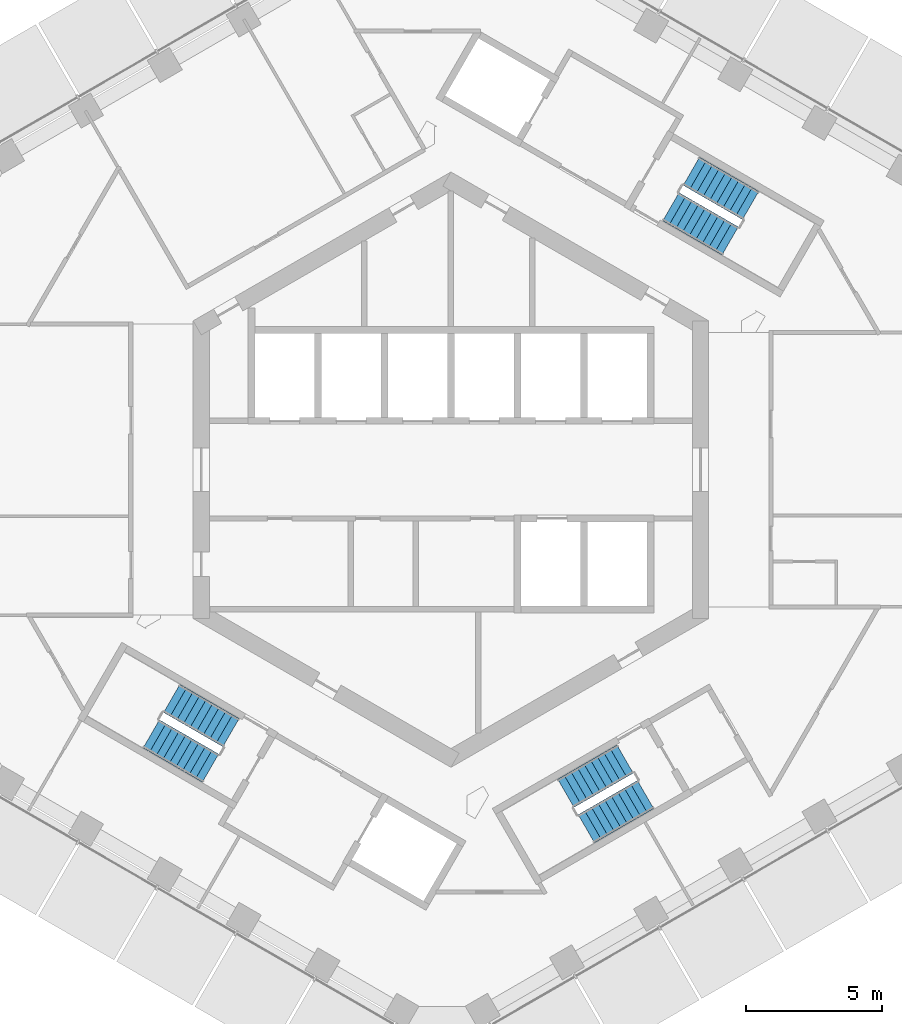
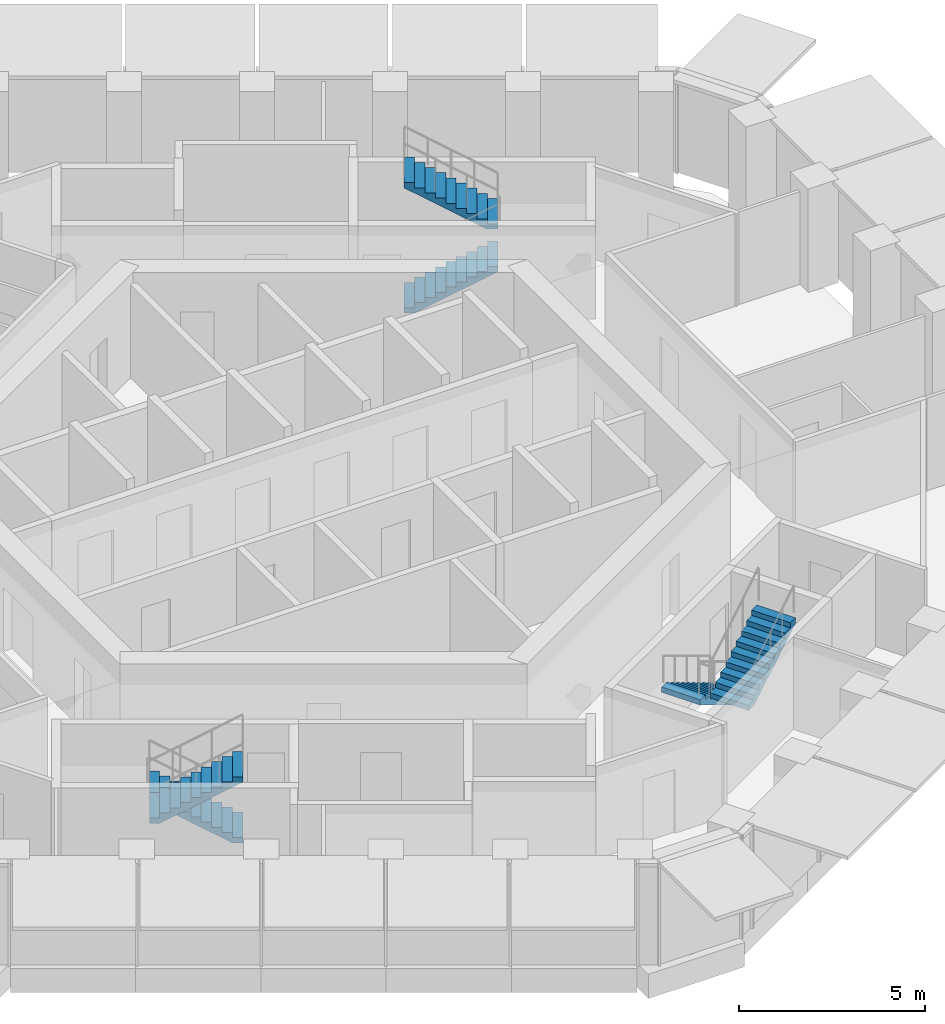
# One storey, part 17 of 18: 6 stair flights, 3 elements without a shape of their own.
"""IFC4 building model written with IfcOpenShell, lengths in metres."""

from ifc_helpers import new_model, si_unit, direction, frame, origin, place, context, subcontext, project, spatial, triangles, material, type_object, element, aggregate, save


model = new_model("IFC4")

# Units and contexts
model_context = context("Model", 3, precision=1e-05, world=origin(), true_north=direction((0.0, 1.0)))
body_context = subcontext(model_context, "Body", "Model", "MODEL_VIEW")
ifc_project = project(units=[si_unit("LENGTHUNIT", "METRE"), si_unit("AREAUNIT", "SQUARE_METRE"), si_unit("VOLUMEUNIT", "CUBIC_METRE"), si_unit("PLANEANGLEUNIT", "RADIAN"), si_unit("MASSUNIT", "GRAM", prefix="KILO")], contexts=[model_context])

# Site, building, storey
site_placement = place(None, origin())
site = spatial("IfcSite", under=ifc_project, at=site_placement, CompositionType="ELEMENT")
building_placement = place(site_placement, origin())
building = spatial("IfcBuilding", under=site, at=building_placement, Name="Ayvan Gate Tower", CompositionType="ELEMENT")
storey_placement = place(building_placement, frame((0.0, 0.0, 169.699951171875)))
storey = spatial("IfcBuildingStorey", under=building, at=storey_placement, Name="L45", CompositionType="ELEMENT", Elevation=169.699951171875)

# Stair, stair flights
ifc_material = material(Name="Concrete C40/50", Category="concrete")
stair_type = type_object("IfcStairType", Name="ST-EXIT", PredefinedType="HALF_TURN_STAIR", material=ifc_material)
stair_1_placement = place(storey_placement, origin())
stair_1 = element("IfcStair", 1, at=stair_1_placement, inside=storey, type_object=stair_type, Name="L45 Exit Stair S1", PredefinedType="HALF_TURN_STAIR")
stair_flight_type = type_object("IfcStairFlightType", Name="SFL-EXIT", PredefinedType="STRAIGHT", material=ifc_material)
stair_flight_1_placement = place(storey_placement, frame((8.106201171875, 9.690185546875, 0.0), z_axis=(0.0, 0.0, 1.0), x_axis=(0.866025403784, -0.5, 0.0)))
stair_flight_1 = element("IfcStairFlight", 2, at=stair_flight_1_placement, type_object=stair_flight_type, Name="STS1 flight 1", NumberOfRisers=10, NumberOfTreads=9, PredefinedType="STRAIGHT", RiserHeight=0.17, TreadLength=0.28, context=body_context, shape_type="Tessellation", body=[
    triangles([(0.288841, -0.599976, 0.0), (2.5205, -0.599976, 1.354936), (2.5205, -0.599976, 1.53), (2.24, -0.599976, 1.53), (2.24, -0.599976, 1.36), (1.96, -0.599976, 1.36), (1.96, -0.599976, 1.19), (1.68, -0.599976, 1.19), (1.68, -0.599976, 1.02), (1.4, -0.599976, 1.02), (1.4, -0.599976, 0.85), (1.12, -0.599976, 0.85), (1.12, -0.599976, 0.68), (0.84, -0.599976, 0.68), (0.84, -0.599976, 0.51), (0.56, -0.599976, 0.51), (0.56, -0.599976, 0.34), (0.28, -0.599976, 0.34), (0.28, -0.599976, 0.17), (-0.0005, -0.599976, 0.17), (-0.0005, -0.599976, 0.0), (0.288841, 0.0, 0.0), (2.5205, 0.0, 1.354936), (2.5205, 0.0, 1.53), (2.24, 0.0, 1.53), (2.24, 0.0, 1.36), (1.96, 0.0, 1.36), (1.96, 0.0, 1.19), (1.68, 0.0, 1.19), (1.68, 0.0, 1.02), (1.4, 0.0, 1.02), (1.4, 0.0, 0.85), (1.12, 0.0, 0.85), (1.12, 0.0, 0.68), (0.84, 0.0, 0.68), (0.84, 0.0, 0.51), (0.56, 0.0, 0.51), (0.56, 0.0, 0.34), (0.28, 0.0, 0.34), (0.28, 0.0, 0.17), (-0.0005, 0.0, 0.17), (-0.0005, 0.0, 0.0), (0.288841, 0.599976, 0.0), (2.5205, 0.599976, 1.354936), (2.5205, 0.599976, 1.53), (2.24, 0.599976, 1.53), (2.24, 0.599976, 1.36), (1.96, 0.599976, 1.36), (1.96, 0.599976, 1.19), (1.68, 0.599976, 1.19), (1.68, 0.599976, 1.02), (1.4, 0.599976, 1.02), (1.4, 0.599976, 0.85), (1.12, 0.599976, 0.85), (1.12, 0.599976, 0.68), (0.84, 0.599976, 0.68), (0.84, 0.599976, 0.51), (0.56, 0.599976, 0.51), (0.56, 0.599976, 0.34), (0.28, 0.599976, 0.34), (0.28, 0.599976, 0.17), (-0.0005, 0.599976, 0.17), (-0.0005, 0.599976, 0.0)], [[21, 1, 2], [63, 44, 43], [2, 3, 4], [44, 46, 45], [2, 4, 5], [44, 47, 46], [2, 5, 6], [44, 48, 47], [2, 6, 7], [44, 49, 48], [7, 8, 9], [49, 51, 50], [2, 7, 9], [44, 51, 49], [9, 10, 11], [51, 53, 52], [2, 9, 11], [44, 53, 51], [11, 12, 13], [53, 55, 54], [2, 11, 13], [44, 55, 53], [13, 14, 15], [55, 57, 56], [2, 13, 15], [44, 57, 55], [15, 16, 17], [57, 59, 58], [2, 15, 17], [44, 59, 57], [17, 18, 19], [59, 61, 60], [2, 17, 19], [44, 61, 59], [21, 2, 19], [63, 61, 44], [19, 20, 21], [61, 63, 62], [1, 22, 23], [1, 23, 2], [43, 23, 22], [43, 44, 23], [2, 23, 24], [2, 24, 3], [44, 24, 23], [44, 45, 24], [3, 24, 25], [3, 25, 4], [45, 25, 24], [45, 46, 25], [4, 25, 26], [4, 26, 5], [46, 26, 25], [46, 47, 26], [5, 26, 27], [5, 27, 6], [47, 27, 26], [47, 48, 27], [6, 27, 28], [6, 28, 7], [48, 28, 27], [48, 49, 28], [7, 28, 29], [7, 29, 8], [49, 29, 28], [49, 50, 29], [8, 29, 30], [8, 30, 9], [50, 30, 29], [50, 51, 30], [9, 30, 31], [9, 31, 10], [51, 31, 30], [51, 52, 31], [10, 31, 32], [10, 32, 11], [52, 32, 31], [52, 53, 32], [11, 32, 33], [11, 33, 12], [53, 33, 32], [53, 54, 33], [12, 33, 34], [12, 34, 13], [54, 34, 33], [54, 55, 34], [13, 34, 35], [13, 35, 14], [55, 35, 34], [55, 56, 35], [14, 35, 36], [14, 36, 15], [56, 36, 35], [56, 57, 36], [15, 36, 37], [15, 37, 16], [57, 37, 36], [57, 58, 37], [16, 37, 38], [16, 38, 17], [58, 38, 37], [58, 59, 38], [17, 38, 39], [17, 39, 18], [59, 39, 38], [59, 60, 39], [18, 39, 40], [18, 40, 19], [60, 40, 39], [60, 61, 40], [19, 40, 41], [19, 41, 20], [61, 41, 40], [61, 62, 41], [20, 41, 42], [20, 42, 21], [62, 42, 41], [62, 63, 42], [21, 42, 22], [21, 22, 1], [63, 22, 42], [63, 43, 22]], closed=True),
])
stair_flight_2_placement = place(storey_placement, frame((11.04345703125, 9.73779296875, 1.699951171875), z_axis=(0.0, 0.0, 1.0), x_axis=(-0.866025403784, 0.5, 0.0)))
stair_flight_2 = element("IfcStairFlight", 3, at=stair_flight_2_placement, type_object=stair_flight_type, Name="STS1 flight 2", NumberOfRisers=10, NumberOfTreads=9, PredefinedType="STRAIGHT", RiserHeight=0.17, TreadLength=0.28, context=body_context, shape_type="Tessellation", body=[
    triangles([(0.288841, -0.599976, 0.0), (2.5205, -0.599976, 1.354936), (2.5205, -0.599976, 1.53), (2.24, -0.599976, 1.53), (2.24, -0.599976, 1.36), (1.96, -0.599976, 1.36), (1.96, -0.599976, 1.19), (1.68, -0.599976, 1.19), (1.68, -0.599976, 1.02), (1.4, -0.599976, 1.02), (1.4, -0.599976, 0.85), (1.12, -0.599976, 0.85), (1.12, -0.599976, 0.68), (0.84, -0.599976, 0.68), (0.84, -0.599976, 0.51), (0.56, -0.599976, 0.51), (0.56, -0.599976, 0.34), (0.28, -0.599976, 0.34), (0.28, -0.599976, 0.17), (-0.0005, -0.599976, 0.17), (-0.0005, -0.599976, 0.0), (0.288841, 0.0, 0.0), (2.5205, 0.0, 1.354936), (2.5205, 0.0, 1.53), (2.24, 0.0, 1.53), (2.24, 0.0, 1.36), (1.96, 0.0, 1.36), (1.96, 0.0, 1.19), (1.68, 0.0, 1.19), (1.68, 0.0, 1.02), (1.4, 0.0, 1.02), (1.4, 0.0, 0.85), (1.12, 0.0, 0.85), (1.12, 0.0, 0.68), (0.84, 0.0, 0.68), (0.84, 0.0, 0.51), (0.56, 0.0, 0.51), (0.56, 0.0, 0.34), (0.28, 0.0, 0.34), (0.28, 0.0, 0.17), (-0.0005, 0.0, 0.17), (-0.0005, 0.0, 0.0), (0.288841, 0.599976, 0.0), (2.5205, 0.599976, 1.354936), (2.5205, 0.599976, 1.53), (2.24, 0.599976, 1.53), (2.24, 0.599976, 1.36), (1.96, 0.599976, 1.36), (1.96, 0.599976, 1.19), (1.68, 0.599976, 1.19), (1.68, 0.599976, 1.02), (1.4, 0.599976, 1.02), (1.4, 0.599976, 0.85), (1.12, 0.599976, 0.85), (1.12, 0.599976, 0.68), (0.84, 0.599976, 0.68), (0.84, 0.599976, 0.51), (0.56, 0.599976, 0.51), (0.56, 0.599976, 0.34), (0.28, 0.599976, 0.34), (0.28, 0.599976, 0.17), (-0.0005, 0.599976, 0.17), (-0.0005, 0.599976, 0.0)], [[21, 1, 2], [63, 44, 43], [2, 3, 4], [44, 46, 45], [2, 4, 5], [44, 47, 46], [2, 5, 6], [44, 48, 47], [2, 6, 7], [44, 49, 48], [7, 8, 9], [49, 51, 50], [2, 7, 9], [44, 51, 49], [9, 10, 11], [51, 53, 52], [2, 9, 11], [44, 53, 51], [11, 12, 13], [53, 55, 54], [2, 11, 13], [44, 55, 53], [13, 14, 15], [55, 57, 56], [2, 13, 15], [44, 57, 55], [15, 16, 17], [57, 59, 58], [2, 15, 17], [44, 59, 57], [17, 18, 19], [59, 61, 60], [2, 17, 19], [44, 61, 59], [21, 2, 19], [63, 61, 44], [19, 20, 21], [61, 63, 62], [1, 22, 23], [1, 23, 2], [43, 23, 22], [43, 44, 23], [2, 23, 24], [2, 24, 3], [44, 24, 23], [44, 45, 24], [3, 24, 25], [3, 25, 4], [45, 25, 24], [45, 46, 25], [4, 25, 26], [4, 26, 5], [46, 26, 25], [46, 47, 26], [5, 26, 27], [5, 27, 6], [47, 27, 26], [47, 48, 27], [6, 27, 28], [6, 28, 7], [48, 28, 27], [48, 49, 28], [7, 28, 29], [7, 29, 8], [49, 29, 28], [49, 50, 29], [8, 29, 30], [8, 30, 9], [50, 30, 29], [50, 51, 30], [9, 30, 31], [9, 31, 10], [51, 31, 30], [51, 52, 31], [10, 31, 32], [10, 32, 11], [52, 32, 31], [52, 53, 32], [11, 32, 33], [11, 33, 12], [53, 33, 32], [53, 54, 33], [12, 33, 34], [12, 34, 13], [54, 34, 33], [54, 55, 34], [13, 34, 35], [13, 35, 14], [55, 35, 34], [55, 56, 35], [14, 35, 36], [14, 36, 15], [56, 36, 35], [56, 57, 36], [15, 36, 37], [15, 37, 16], [57, 37, 36], [57, 58, 37], [16, 37, 38], [16, 38, 17], [58, 38, 37], [58, 59, 38], [17, 38, 39], [17, 39, 18], [59, 39, 38], [59, 60, 39], [18, 39, 40], [18, 40, 19], [60, 40, 39], [60, 61, 40], [19, 40, 41], [19, 41, 20], [61, 41, 40], [61, 62, 41], [20, 41, 42], [20, 42, 21], [62, 42, 41], [62, 63, 42], [21, 42, 22], [21, 22, 1], [63, 22, 42], [63, 43, 22]], closed=True),
])
aggregate(stair_1, [stair_flight_1, stair_flight_2])

stair_2_placement = place(storey_placement, origin())
stair_2 = element("IfcStair", 4, at=stair_2_placement, inside=storey, type_object=stair_type, Name="L45 Exit Stair S2", PredefinedType="HALF_TURN_STAIR")
stair_flight_3_placement = place(storey_placement, frame((-8.106201171875, -9.690185546875, 0.0), z_axis=(0.0, 0.0, 1.0), x_axis=(-0.866025403784, 0.5, 0.0)))
stair_flight_3 = element("IfcStairFlight", 5, at=stair_flight_3_placement, type_object=stair_flight_type, Name="STS2 flight 1", NumberOfRisers=10, NumberOfTreads=9, PredefinedType="STRAIGHT", RiserHeight=0.17, TreadLength=0.28, context=body_context, shape_type="Tessellation", body=[
    triangles([(0.288841, -0.599976, 0.0), (2.5205, -0.599976, 1.354936), (2.5205, -0.599976, 1.53), (2.24, -0.599976, 1.53), (2.24, -0.599976, 1.36), (1.96, -0.599976, 1.36), (1.96, -0.599976, 1.19), (1.68, -0.599976, 1.19), (1.68, -0.599976, 1.02), (1.4, -0.599976, 1.02), (1.4, -0.599976, 0.85), (1.12, -0.599976, 0.85), (1.12, -0.599976, 0.68), (0.84, -0.599976, 0.68), (0.84, -0.599976, 0.51), (0.56, -0.599976, 0.51), (0.56, -0.599976, 0.34), (0.28, -0.599976, 0.34), (0.28, -0.599976, 0.17), (-0.0005, -0.599976, 0.17), (-0.0005, -0.599976, 0.0), (0.288841, 0.0, 0.0), (2.5205, 0.0, 1.354936), (2.5205, 0.0, 1.53), (2.24, 0.0, 1.53), (2.24, 0.0, 1.36), (1.96, 0.0, 1.36), (1.96, 0.0, 1.19), (1.68, 0.0, 1.19), (1.68, 0.0, 1.02), (1.4, 0.0, 1.02), (1.4, 0.0, 0.85), (1.12, 0.0, 0.85), (1.12, 0.0, 0.68), (0.84, 0.0, 0.68), (0.84, 0.0, 0.51), (0.56, 0.0, 0.51), (0.56, 0.0, 0.34), (0.28, 0.0, 0.34), (0.28, 0.0, 0.17), (-0.0005, 0.0, 0.17), (-0.0005, 0.0, 0.0), (0.288841, 0.599976, 0.0), (2.5205, 0.599976, 1.354936), (2.5205, 0.599976, 1.53), (2.24, 0.599976, 1.53), (2.24, 0.599976, 1.36), (1.96, 0.599976, 1.36), (1.96, 0.599976, 1.19), (1.68, 0.599976, 1.19), (1.68, 0.599976, 1.02), (1.4, 0.599976, 1.02), (1.4, 0.599976, 0.85), (1.12, 0.599976, 0.85), (1.12, 0.599976, 0.68), (0.84, 0.599976, 0.68), (0.84, 0.599976, 0.51), (0.56, 0.599976, 0.51), (0.56, 0.599976, 0.34), (0.28, 0.599976, 0.34), (0.28, 0.599976, 0.17), (-0.0005, 0.599976, 0.17), (-0.0005, 0.599976, 0.0)], [[21, 1, 2], [63, 44, 43], [2, 3, 4], [44, 46, 45], [2, 4, 5], [44, 47, 46], [2, 5, 6], [44, 48, 47], [2, 6, 7], [44, 49, 48], [7, 8, 9], [49, 51, 50], [2, 7, 9], [44, 51, 49], [9, 10, 11], [51, 53, 52], [2, 9, 11], [44, 53, 51], [11, 12, 13], [53, 55, 54], [2, 11, 13], [44, 55, 53], [13, 14, 15], [55, 57, 56], [2, 13, 15], [44, 57, 55], [15, 16, 17], [57, 59, 58], [2, 15, 17], [44, 59, 57], [17, 18, 19], [59, 61, 60], [2, 17, 19], [44, 61, 59], [21, 2, 19], [63, 61, 44], [19, 20, 21], [61, 63, 62], [1, 22, 23], [1, 23, 2], [43, 23, 22], [43, 44, 23], [2, 23, 24], [2, 24, 3], [44, 24, 23], [44, 45, 24], [3, 24, 25], [3, 25, 4], [45, 25, 24], [45, 46, 25], [4, 25, 26], [4, 26, 5], [46, 26, 25], [46, 47, 26], [5, 26, 27], [5, 27, 6], [47, 27, 26], [47, 48, 27], [6, 27, 28], [6, 28, 7], [48, 28, 27], [48, 49, 28], [7, 28, 29], [7, 29, 8], [49, 29, 28], [49, 50, 29], [8, 29, 30], [8, 30, 9], [50, 30, 29], [50, 51, 30], [9, 30, 31], [9, 31, 10], [51, 31, 30], [51, 52, 31], [10, 31, 32], [10, 32, 11], [52, 32, 31], [52, 53, 32], [11, 32, 33], [11, 33, 12], [53, 33, 32], [53, 54, 33], [12, 33, 34], [12, 34, 13], [54, 34, 33], [54, 55, 34], [13, 34, 35], [13, 35, 14], [55, 35, 34], [55, 56, 35], [14, 35, 36], [14, 36, 15], [56, 36, 35], [56, 57, 36], [15, 36, 37], [15, 37, 16], [57, 37, 36], [57, 58, 37], [16, 37, 38], [16, 38, 17], [58, 38, 37], [58, 59, 38], [17, 38, 39], [17, 39, 18], [59, 39, 38], [59, 60, 39], [18, 39, 40], [18, 40, 19], [60, 40, 39], [60, 61, 40], [19, 40, 41], [19, 41, 20], [61, 41, 40], [61, 62, 41], [20, 41, 42], [20, 42, 21], [62, 42, 41], [62, 63, 42], [21, 42, 22], [21, 22, 1], [63, 22, 42], [63, 43, 22]], closed=True),
])
stair_flight_4_placement = place(storey_placement, frame((-11.04345703125, -9.73779296875, 1.699951171875), z_axis=(0.0, 0.0, 1.0), x_axis=(0.866025403784, -0.5, 0.0)))
stair_flight_4 = element("IfcStairFlight", 6, at=stair_flight_4_placement, type_object=stair_flight_type, Name="STS2 flight 2", NumberOfRisers=10, NumberOfTreads=9, PredefinedType="STRAIGHT", RiserHeight=0.17, TreadLength=0.28, context=body_context, shape_type="Tessellation", body=[
    triangles([(0.288841, -0.599976, 0.0), (2.5205, -0.599976, 1.354936), (2.5205, -0.599976, 1.53), (2.24, -0.599976, 1.53), (2.24, -0.599976, 1.36), (1.96, -0.599976, 1.36), (1.96, -0.599976, 1.19), (1.68, -0.599976, 1.19), (1.68, -0.599976, 1.02), (1.4, -0.599976, 1.02), (1.4, -0.599976, 0.85), (1.12, -0.599976, 0.85), (1.12, -0.599976, 0.68), (0.84, -0.599976, 0.68), (0.84, -0.599976, 0.51), (0.56, -0.599976, 0.51), (0.56, -0.599976, 0.34), (0.28, -0.599976, 0.34), (0.28, -0.599976, 0.17), (-0.0005, -0.599976, 0.17), (-0.0005, -0.599976, 0.0), (0.288841, 0.0, 0.0), (2.5205, 0.0, 1.354936), (2.5205, 0.0, 1.53), (2.24, 0.0, 1.53), (2.24, 0.0, 1.36), (1.96, 0.0, 1.36), (1.96, 0.0, 1.19), (1.68, 0.0, 1.19), (1.68, 0.0, 1.02), (1.4, 0.0, 1.02), (1.4, 0.0, 0.85), (1.12, 0.0, 0.85), (1.12, 0.0, 0.68), (0.84, 0.0, 0.68), (0.84, 0.0, 0.51), (0.56, 0.0, 0.51), (0.56, 0.0, 0.34), (0.28, 0.0, 0.34), (0.28, 0.0, 0.17), (-0.0005, 0.0, 0.17), (-0.0005, 0.0, 0.0), (0.288841, 0.599976, 0.0), (2.5205, 0.599976, 1.354936), (2.5205, 0.599976, 1.53), (2.24, 0.599976, 1.53), (2.24, 0.599976, 1.36), (1.96, 0.599976, 1.36), (1.96, 0.599976, 1.19), (1.68, 0.599976, 1.19), (1.68, 0.599976, 1.02), (1.4, 0.599976, 1.02), (1.4, 0.599976, 0.85), (1.12, 0.599976, 0.85), (1.12, 0.599976, 0.68), (0.84, 0.599976, 0.68), (0.84, 0.599976, 0.51), (0.56, 0.599976, 0.51), (0.56, 0.599976, 0.34), (0.28, 0.599976, 0.34), (0.28, 0.599976, 0.17), (-0.0005, 0.599976, 0.17), (-0.0005, 0.599976, 0.0)], [[21, 1, 2], [63, 44, 43], [2, 3, 4], [44, 46, 45], [2, 4, 5], [44, 47, 46], [2, 5, 6], [44, 48, 47], [2, 6, 7], [44, 49, 48], [7, 8, 9], [49, 51, 50], [2, 7, 9], [44, 51, 49], [9, 10, 11], [51, 53, 52], [2, 9, 11], [44, 53, 51], [11, 12, 13], [53, 55, 54], [2, 11, 13], [44, 55, 53], [13, 14, 15], [55, 57, 56], [2, 13, 15], [44, 57, 55], [15, 16, 17], [57, 59, 58], [2, 15, 17], [44, 59, 57], [17, 18, 19], [59, 61, 60], [2, 17, 19], [44, 61, 59], [21, 2, 19], [63, 61, 44], [19, 20, 21], [61, 63, 62], [1, 22, 23], [1, 23, 2], [43, 23, 22], [43, 44, 23], [2, 23, 24], [2, 24, 3], [44, 24, 23], [44, 45, 24], [3, 24, 25], [3, 25, 4], [45, 25, 24], [45, 46, 25], [4, 25, 26], [4, 26, 5], [46, 26, 25], [46, 47, 26], [5, 26, 27], [5, 27, 6], [47, 27, 26], [47, 48, 27], [6, 27, 28], [6, 28, 7], [48, 28, 27], [48, 49, 28], [7, 28, 29], [7, 29, 8], [49, 29, 28], [49, 50, 29], [8, 29, 30], [8, 30, 9], [50, 30, 29], [50, 51, 30], [9, 30, 31], [9, 31, 10], [51, 31, 30], [51, 52, 31], [10, 31, 32], [10, 32, 11], [52, 32, 31], [52, 53, 32], [11, 32, 33], [11, 33, 12], [53, 33, 32], [53, 54, 33], [12, 33, 34], [12, 34, 13], [54, 34, 33], [54, 55, 34], [13, 34, 35], [13, 35, 14], [55, 35, 34], [55, 56, 35], [14, 35, 36], [14, 36, 15], [56, 36, 35], [56, 57, 36], [15, 36, 37], [15, 37, 16], [57, 37, 36], [57, 58, 37], [16, 37, 38], [16, 38, 17], [58, 38, 37], [58, 59, 38], [17, 38, 39], [17, 39, 18], [59, 39, 38], [59, 60, 39], [18, 39, 40], [18, 40, 19], [60, 40, 39], [60, 61, 40], [19, 40, 41], [19, 41, 20], [61, 41, 40], [61, 62, 41], [20, 41, 42], [20, 42, 21], [62, 42, 41], [62, 63, 42], [21, 42, 22], [21, 22, 1], [63, 22, 42], [63, 43, 22]], closed=True),
])
aggregate(stair_2, [stair_flight_3, stair_flight_4])

stair_3_placement = place(storey_placement, origin())
stair_3 = element("IfcStair", 7, at=stair_3_placement, inside=storey, type_object=stair_type, Name="L45 Exit Stair S3", PredefinedType="HALF_TURN_STAIR")
stair_flight_5_placement = place(storey_placement, frame((6.417236328125, -10.665283203125, 0.0), z_axis=(0.0, 0.0, 1.0), x_axis=(-0.866025403784, -0.5, 0.0)))
stair_flight_5 = element("IfcStairFlight", 8, at=stair_flight_5_placement, type_object=stair_flight_type, Name="STS3 flight 1", NumberOfRisers=10, NumberOfTreads=9, PredefinedType="STRAIGHT", RiserHeight=0.17, TreadLength=0.28, context=body_context, shape_type="Tessellation", body=[
    triangles([(0.288841, -0.599976, 0.0), (2.5205, -0.599976, 1.354936), (2.5205, -0.599976, 1.53), (2.24, -0.599976, 1.53), (2.24, -0.599976, 1.36), (1.96, -0.599976, 1.36), (1.96, -0.599976, 1.19), (1.68, -0.599976, 1.19), (1.68, -0.599976, 1.02), (1.4, -0.599976, 1.02), (1.4, -0.599976, 0.85), (1.12, -0.599976, 0.85), (1.12, -0.599976, 0.68), (0.84, -0.599976, 0.68), (0.84, -0.599976, 0.51), (0.56, -0.599976, 0.51), (0.56, -0.599976, 0.34), (0.28, -0.599976, 0.34), (0.28, -0.599976, 0.17), (-0.0005, -0.599976, 0.17), (-0.0005, -0.599976, 0.0), (0.288841, 0.0, 0.0), (2.5205, 0.0, 1.354936), (2.5205, 0.0, 1.53), (2.24, 0.0, 1.53), (2.24, 0.0, 1.36), (1.96, 0.0, 1.36), (1.96, 0.0, 1.19), (1.68, 0.0, 1.19), (1.68, 0.0, 1.02), (1.4, 0.0, 1.02), (1.4, 0.0, 0.85), (1.12, 0.0, 0.85), (1.12, 0.0, 0.68), (0.84, 0.0, 0.68), (0.84, 0.0, 0.51), (0.56, 0.0, 0.51), (0.56, 0.0, 0.34), (0.28, 0.0, 0.34), (0.28, 0.0, 0.17), (-0.0005, 0.0, 0.17), (-0.0005, 0.0, 0.0), (0.288841, 0.599976, 0.0), (2.5205, 0.599976, 1.354936), (2.5205, 0.599976, 1.53), (2.24, 0.599976, 1.53), (2.24, 0.599976, 1.36), (1.96, 0.599976, 1.36), (1.96, 0.599976, 1.19), (1.68, 0.599976, 1.19), (1.68, 0.599976, 1.02), (1.4, 0.599976, 1.02), (1.4, 0.599976, 0.85), (1.12, 0.599976, 0.85), (1.12, 0.599976, 0.68), (0.84, 0.599976, 0.68), (0.84, 0.599976, 0.51), (0.56, 0.599976, 0.51), (0.56, 0.599976, 0.34), (0.28, 0.599976, 0.34), (0.28, 0.599976, 0.17), (-0.0005, 0.599976, 0.17), (-0.0005, 0.599976, 0.0)], [[21, 1, 2], [63, 44, 43], [2, 3, 4], [44, 46, 45], [2, 4, 5], [44, 47, 46], [2, 5, 6], [44, 48, 47], [2, 6, 7], [44, 49, 48], [7, 8, 9], [49, 51, 50], [2, 7, 9], [44, 51, 49], [9, 10, 11], [51, 53, 52], [2, 9, 11], [44, 53, 51], [11, 12, 13], [53, 55, 54], [2, 11, 13], [44, 55, 53], [13, 14, 15], [55, 57, 56], [2, 13, 15], [44, 57, 55], [15, 16, 17], [57, 59, 58], [2, 15, 17], [44, 59, 57], [17, 18, 19], [59, 61, 60], [2, 17, 19], [44, 61, 59], [21, 2, 19], [63, 61, 44], [19, 20, 21], [61, 63, 62], [1, 22, 23], [1, 23, 2], [43, 23, 22], [43, 44, 23], [2, 23, 24], [2, 24, 3], [44, 24, 23], [44, 45, 24], [3, 24, 25], [3, 25, 4], [45, 25, 24], [45, 46, 25], [4, 25, 26], [4, 26, 5], [46, 26, 25], [46, 47, 26], [5, 26, 27], [5, 27, 6], [47, 27, 26], [47, 48, 27], [6, 27, 28], [6, 28, 7], [48, 28, 27], [48, 49, 28], [7, 28, 29], [7, 29, 8], [49, 29, 28], [49, 50, 29], [8, 29, 30], [8, 30, 9], [50, 30, 29], [50, 51, 30], [9, 30, 31], [9, 31, 10], [51, 31, 30], [51, 52, 31], [10, 31, 32], [10, 32, 11], [52, 32, 31], [52, 53, 32], [11, 32, 33], [11, 33, 12], [53, 33, 32], [53, 54, 33], [12, 33, 34], [12, 34, 13], [54, 34, 33], [54, 55, 34], [13, 34, 35], [13, 35, 14], [55, 35, 34], [55, 56, 35], [14, 35, 36], [14, 36, 15], [56, 36, 35], [56, 57, 36], [15, 36, 37], [15, 37, 16], [57, 37, 36], [57, 58, 37], [16, 37, 38], [16, 38, 17], [58, 38, 37], [58, 59, 38], [17, 38, 39], [17, 39, 18], [59, 39, 38], [59, 60, 39], [18, 39, 40], [18, 40, 19], [60, 40, 39], [60, 61, 40], [19, 40, 41], [19, 41, 20], [61, 41, 40], [61, 62, 41], [20, 41, 42], [20, 42, 21], [62, 42, 41], [62, 63, 42], [21, 42, 22], [21, 22, 1], [63, 22, 42], [63, 43, 22]], closed=True),
])
stair_flight_6_placement = place(storey_placement, frame((4.989990234375, -13.23291015625, 1.699951171875), z_axis=(0.0, 0.0, 1.0), x_axis=(0.866025403784, 0.5, 0.0)))
stair_flight_6 = element("IfcStairFlight", 9, at=stair_flight_6_placement, type_object=stair_flight_type, Name="STS3 flight 2", NumberOfRisers=10, NumberOfTreads=9, PredefinedType="STRAIGHT", RiserHeight=0.17, TreadLength=0.28, context=body_context, shape_type="Tessellation", body=[
    triangles([(0.288841, -0.599976, 0.0), (2.5205, -0.599976, 1.354936), (2.5205, -0.599976, 1.53), (2.24, -0.599976, 1.53), (2.24, -0.599976, 1.36), (1.96, -0.599976, 1.36), (1.96, -0.599976, 1.19), (1.68, -0.599976, 1.19), (1.68, -0.599976, 1.02), (1.4, -0.599976, 1.02), (1.4, -0.599976, 0.85), (1.12, -0.599976, 0.85), (1.12, -0.599976, 0.68), (0.84, -0.599976, 0.68), (0.84, -0.599976, 0.51), (0.56, -0.599976, 0.51), (0.56, -0.599976, 0.34), (0.28, -0.599976, 0.34), (0.28, -0.599976, 0.17), (-0.0005, -0.599976, 0.17), (-0.0005, -0.599976, 0.0), (0.288841, 0.0, 0.0), (2.5205, 0.0, 1.354936), (2.5205, 0.0, 1.53), (2.24, 0.0, 1.53), (2.24, 0.0, 1.36), (1.96, 0.0, 1.36), (1.96, 0.0, 1.19), (1.68, 0.0, 1.19), (1.68, 0.0, 1.02), (1.4, 0.0, 1.02), (1.4, 0.0, 0.85), (1.12, 0.0, 0.85), (1.12, 0.0, 0.68), (0.84, 0.0, 0.68), (0.84, 0.0, 0.51), (0.56, 0.0, 0.51), (0.56, 0.0, 0.34), (0.28, 0.0, 0.34), (0.28, 0.0, 0.17), (-0.0005, 0.0, 0.17), (-0.0005, 0.0, 0.0), (0.288841, 0.599976, 0.0), (2.5205, 0.599976, 1.354936), (2.5205, 0.599976, 1.53), (2.24, 0.599976, 1.53), (2.24, 0.599976, 1.36), (1.96, 0.599976, 1.36), (1.96, 0.599976, 1.19), (1.68, 0.599976, 1.19), (1.68, 0.599976, 1.02), (1.4, 0.599976, 1.02), (1.4, 0.599976, 0.85), (1.12, 0.599976, 0.85), (1.12, 0.599976, 0.68), (0.84, 0.599976, 0.68), (0.84, 0.599976, 0.51), (0.56, 0.599976, 0.51), (0.56, 0.599976, 0.34), (0.28, 0.599976, 0.34), (0.28, 0.599976, 0.17), (-0.0005, 0.599976, 0.17), (-0.0005, 0.599976, 0.0)], [[21, 1, 2], [63, 44, 43], [2, 3, 4], [44, 46, 45], [2, 4, 5], [44, 47, 46], [2, 5, 6], [44, 48, 47], [2, 6, 7], [44, 49, 48], [7, 8, 9], [49, 51, 50], [2, 7, 9], [44, 51, 49], [9, 10, 11], [51, 53, 52], [2, 9, 11], [44, 53, 51], [11, 12, 13], [53, 55, 54], [2, 11, 13], [44, 55, 53], [13, 14, 15], [55, 57, 56], [2, 13, 15], [44, 57, 55], [15, 16, 17], [57, 59, 58], [2, 15, 17], [44, 59, 57], [17, 18, 19], [59, 61, 60], [2, 17, 19], [44, 61, 59], [21, 2, 19], [63, 61, 44], [19, 20, 21], [61, 63, 62], [1, 22, 23], [1, 23, 2], [43, 23, 22], [43, 44, 23], [2, 23, 24], [2, 24, 3], [44, 24, 23], [44, 45, 24], [3, 24, 25], [3, 25, 4], [45, 25, 24], [45, 46, 25], [4, 25, 26], [4, 26, 5], [46, 26, 25], [46, 47, 26], [5, 26, 27], [5, 27, 6], [47, 27, 26], [47, 48, 27], [6, 27, 28], [6, 28, 7], [48, 28, 27], [48, 49, 28], [7, 28, 29], [7, 29, 8], [49, 29, 28], [49, 50, 29], [8, 29, 30], [8, 30, 9], [50, 30, 29], [50, 51, 30], [9, 30, 31], [9, 31, 10], [51, 31, 30], [51, 52, 31], [10, 31, 32], [10, 32, 11], [52, 32, 31], [52, 53, 32], [11, 32, 33], [11, 33, 12], [53, 33, 32], [53, 54, 33], [12, 33, 34], [12, 34, 13], [54, 34, 33], [54, 55, 34], [13, 34, 35], [13, 35, 14], [55, 35, 34], [55, 56, 35], [14, 35, 36], [14, 36, 15], [56, 36, 35], [56, 57, 36], [15, 36, 37], [15, 37, 16], [57, 37, 36], [57, 58, 37], [16, 37, 38], [16, 38, 17], [58, 38, 37], [58, 59, 38], [17, 38, 39], [17, 39, 18], [59, 39, 38], [59, 60, 39], [18, 39, 40], [18, 40, 19], [60, 40, 39], [60, 61, 40], [19, 40, 41], [19, 41, 20], [61, 41, 40], [61, 62, 41], [20, 41, 42], [20, 42, 21], [62, 42, 41], [62, 63, 42], [21, 42, 22], [21, 22, 1], [63, 22, 42], [63, 43, 22]], closed=True),
])
aggregate(stair_3, [stair_flight_5, stair_flight_6])

save(model, "model.ifc")
